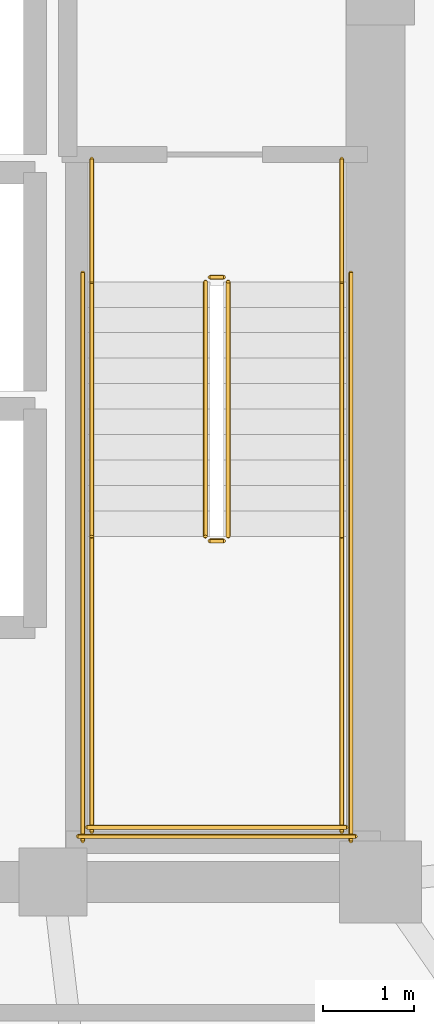
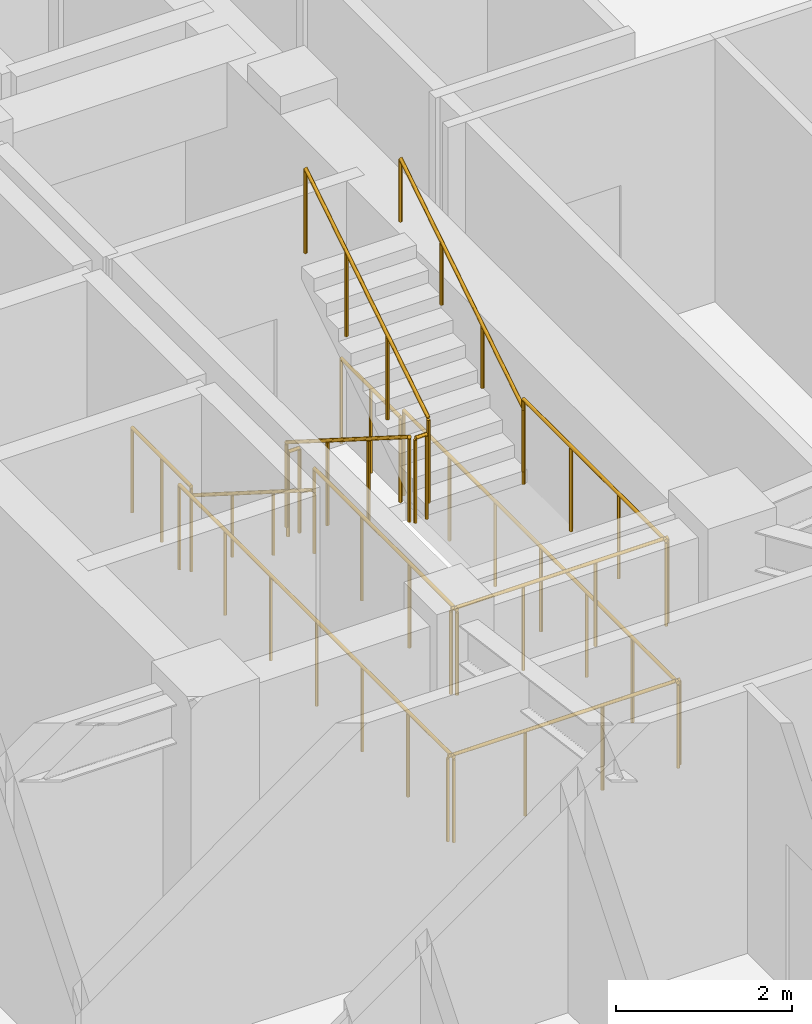
# One storey, part 17 of 17: 14 railings.
"""IFC4 building model written with IfcOpenShell, lengths in metres."""

from ifc_helpers import new_model, si_unit, direction, frame, origin, origin_2d, place, context, subcontext, project, spatial, circle, extrude, material, type_object, element, save


model = new_model("IFC4")

# Units and contexts
model_context = context("Model", 3, precision=1e-05, world=origin(), true_north=direction((0.0, 1.0)))
body_context = subcontext(model_context, "Body", "Model", "MODEL_VIEW")
ifc_project = project(units=[si_unit("LENGTHUNIT", "METRE"), si_unit("AREAUNIT", "SQUARE_METRE"), si_unit("VOLUMEUNIT", "CUBIC_METRE"), si_unit("PLANEANGLEUNIT", "RADIAN"), si_unit("MASSUNIT", "GRAM", prefix="KILO")], contexts=[model_context])

# Site, building, storey
site_placement = place(None, origin())
site = spatial("IfcSite", under=ifc_project, at=site_placement, CompositionType="ELEMENT")
building_placement = place(site_placement, origin())
building = spatial("IfcBuilding", under=site, at=building_placement, Name="Voryun Gate Residences", CompositionType="ELEMENT")
storey_placement = place(building_placement, frame((0.0, 0.0, 204.10009765625)))
storey = spatial("IfcBuildingStorey", under=building, at=storey_placement, Name="L50", CompositionType="ELEMENT", Elevation=204.10009765625)

# Railings
ifc_material_1 = material(Name="Painted steel", Category="steel")
railing_type_1 = type_object("IfcRailingType", Name="RAIL_STAIR_GUARD_1200", PredefinedType="GUARDRAIL", material=ifc_material_1)
railing_1_placement = place(storey_placement, frame((17.27490234375, -0.800048828125, 0.17724609375)))
element("IfcRailing", 1, at=railing_1_placement, inside=storey, type_object=railing_type_1, Name="L50 ST-E1 stair guard 1", PredefinedType="GUARDRAIL", context=body_context, shape_type="SweptSolid", body=[
    extrude(circle(Radius=0.02392578125, at=origin_2d()), frame((0.0, 0.0, 1.17578125), z_axis=(0.0, -0.844908973607, 0.534910110503), x_axis=(1.0, 0.0, 0.0)), (0.0, 0.0, 1.0), 3.31396484375),
    extrude(circle(Radius=0.02099609375, at=origin_2d()), origin(), (0.0, 0.0, 1.0), 1.15185546875),
    extrude(circle(Radius=0.02099609375, at=origin_2d()), frame((0.0, -0.933349609375, 0.5908203125)), (0.0, 0.0, 1.0), 1.15185546875),
    extrude(circle(Radius=0.02099609375, at=origin_2d()), frame((0.0, -1.86669921875, 1.181884765625)), (0.0, 0.0, 1.0), 1.15185546875),
    extrude(circle(Radius=0.02099609375, at=origin_2d()), frame((0.0, -2.800048828125, 1.772705078125)), (0.0, 0.0, 1.0), 1.15185546875),
])
railing_2_placement = place(storey_placement, frame((17.324951171875, -3.64990234375, 1.949951171875)))
element("IfcRailing", 2, at=railing_2_placement, inside=storey, type_object=railing_type_1, Name="L50 ST-E1 stair guard 2", PredefinedType="GUARDRAIL", context=body_context, shape_type="SweptSolid", body=[
    extrude(circle(Radius=0.02392578125, at=origin_2d()), frame((0.0, 0.0, 1.17578125), z_axis=(1.0, 0.0, 0.0), x_axis=(0.0, 1.0, 0.0)), (0.0, 0.0, 1.0), 0.150146484375),
    extrude(circle(Radius=0.02099609375, at=origin_2d()), origin(), (0.0, 0.0, 1.0), 1.15185546875),
    extrude(circle(Radius=0.02099609375, at=origin_2d()), frame((0.150146484375, 0.0, 0.0)), (0.0, 0.0, 1.0), 1.15185546875),
])
for number, where, name in (
    (3, (16.02490234375, -3.60009765625, 1.949951171875), "L50 ST-E1 stair guard 3"),
    (4, (18.77490234375, -3.60009765625, 1.949951171875), "L50 ST-E1 stair guard 4"),
):
    element("IfcRailing", number, at=place(storey_placement, frame(where)), inside=storey, type_object=railing_type_1, Name=name, PredefinedType="GUARDRAIL", context=body_context, shape_type="SweptSolid", body=[
        extrude(circle(Radius=0.02392578125, at=origin_2d()), frame((0.0, 0.0, 1.17578125), z_axis=(0.0, -1.0, 0.0), x_axis=(1.0, 0.0, 0.0)), (0.0, 0.0, 1.0), 3.25),
        extrude(circle(Radius=0.02099609375, at=origin_2d()), origin(), (0.0, 0.0, 1.0), 1.15185546875),
        extrude(circle(Radius=0.02099609375, at=origin_2d()), frame((0.0, -1.083251953125, 0.0)), (0.0, 0.0, 1.0), 1.15185546875),
        extrude(circle(Radius=0.02099609375, at=origin_2d()), frame((0.0, -2.166748046875, 0.0)), (0.0, 0.0, 1.0), 1.15185546875),
        extrude(circle(Radius=0.02099609375, at=origin_2d()), frame((0.0, -3.25, 0.0)), (0.0, 0.0, 1.0), 1.15185546875),
    ])
railing_3_placement = place(storey_placement, frame((15.97509765625, -6.800048828125, 1.949951171875)))
element("IfcRailing", 5, at=railing_3_placement, inside=storey, type_object=railing_type_1, Name="L50 ST-E1 stair guard 5", PredefinedType="GUARDRAIL", context=body_context, shape_type="SweptSolid", body=[
    extrude(circle(Radius=0.02392578125, at=origin_2d()), frame((0.0, 0.0, 1.17578125), z_axis=(1.0, 0.0, 0.0), x_axis=(0.0, 1.0, 0.0)), (0.0, 0.0, 1.0), 2.849853515625),
    extrude(circle(Radius=0.02099609375, at=origin_2d()), origin(), (0.0, 0.0, 1.0), 1.15185546875),
    extrude(circle(Radius=0.02099609375, at=origin_2d()), frame((0.949951171875, 0.0, 0.0)), (0.0, 0.0, 1.0), 1.15185546875),
    extrude(circle(Radius=0.02099609375, at=origin_2d()), frame((1.89990234375, 0.0, 0.0)), (0.0, 0.0, 1.0), 1.15185546875),
    extrude(circle(Radius=0.02099609375, at=origin_2d()), frame((2.849853515625, 0.0, 0.0)), (0.0, 0.0, 1.0), 1.15185546875),
])
railing_4_placement = place(storey_placement, frame((17.52490234375, -3.60009765625, 2.127197265625)))
element("IfcRailing", 6, at=railing_4_placement, inside=storey, type_object=railing_type_1, Name="L50 ST-E1 stair guard 6", PredefinedType="GUARDRAIL", context=body_context, shape_type="SweptSolid", body=[
    extrude(circle(Radius=0.02392578125, at=origin_2d()), frame((0.0, 0.0, 1.17578125), z_axis=(0.0, 0.844908973607, 0.534910110503), x_axis=(-1.0, 0.0, 0.0)), (0.0, 0.0, 1.0), 3.31396484375),
    extrude(circle(Radius=0.02099609375, at=origin_2d()), origin(), (0.0, 0.0, 1.0), 1.15185546875),
    extrude(circle(Radius=0.02099609375, at=origin_2d()), frame((0.0, 0.933349609375, 0.5908203125)), (0.0, 0.0, 1.0), 1.15185546875),
    extrude(circle(Radius=0.02099609375, at=origin_2d()), frame((0.0, 1.86669921875, 1.181884765625)), (0.0, 0.0, 1.0), 1.15185546875),
    extrude(circle(Radius=0.02099609375, at=origin_2d()), frame((0.0, 2.800048828125, 1.772705078125)), (0.0, 0.0, 1.0), 1.15185546875),
])
railing_5_placement = place(storey_placement, frame((17.324951171875, -0.75, 0.0)))
element("IfcRailing", 7, at=railing_5_placement, inside=storey, type_object=railing_type_1, Name="L50 ST-E1 stair guard 7", PredefinedType="GUARDRAIL", context=body_context, shape_type="SweptSolid", body=[
    extrude(circle(Radius=0.02392578125, at=origin_2d()), frame((0.0, 0.0, 1.17578125), z_axis=(1.0, 0.0, 0.0), x_axis=(0.0, 1.0, 0.0)), (0.0, 0.0, 1.0), 0.150146484375),
    extrude(circle(Radius=0.02099609375, at=origin_2d()), origin(), (0.0, 0.0, 1.0), 1.15185546875),
    extrude(circle(Radius=0.02099609375, at=origin_2d()), frame((0.150146484375, 0.0, 0.0)), (0.0, 0.0, 1.0), 1.15185546875),
])
for number, where, name in (
    (8, (16.02490234375, 0.550048828125, 0.0), "L50 ST-E1 stair guard 8"),
    (9, (18.77490234375, 0.550048828125, 0.0), "L50 ST-E1 stair guard 9"),
):
    element("IfcRailing", number, at=place(storey_placement, frame(where)), inside=storey, type_object=railing_type_1, Name=name, PredefinedType="GUARDRAIL", context=body_context, shape_type="SweptSolid", body=[
        extrude(circle(Radius=0.02392578125, at=origin_2d()), frame((0.0, 0.0, 1.17578125), z_axis=(0.0, -1.0, 0.0), x_axis=(1.0, 0.0, 0.0)), (0.0, 0.0, 1.0), 1.35009765625),
        extrude(circle(Radius=0.02099609375, at=origin_2d()), origin(), (0.0, 0.0, 1.0), 1.15185546875),
        extrude(circle(Radius=0.02099609375, at=origin_2d()), frame((0.0, -0.675048828125, 0.0)), (0.0, 0.0, 1.0), 1.15185546875),
        extrude(circle(Radius=0.02099609375, at=origin_2d()), frame((0.0, -1.35009765625, 0.0)), (0.0, 0.0, 1.0), 1.15185546875),
    ])
for number, where, name in (
    (10, (15.925048828125, -0.699951171875, 0.0), "L50 ST-E1 stair guard 10"),
    (11, (18.875, -0.699951171875, 0.0), "L50 ST-E1 stair guard 11"),
):
    element("IfcRailing", number, at=place(storey_placement, frame(where)), inside=storey, type_object=railing_type_1, Name=name, PredefinedType="GUARDRAIL", context=body_context, shape_type="SweptSolid", body=[
        extrude(circle(Radius=0.02392578125, at=origin_2d()), frame((0.0, 0.0, 1.17578125), z_axis=(0.0, -1.0, 0.0), x_axis=(1.0, 0.0, 0.0)), (0.0, 0.0, 1.0), 6.25),
        extrude(circle(Radius=0.02099609375, at=origin_2d()), origin(), (0.0, 0.0, 1.0), 1.15185546875),
        extrude(circle(Radius=0.02099609375, at=origin_2d()), frame((0.0, -1.041748046875, 0.0)), (0.0, 0.0, 1.0), 1.15185546875),
        extrude(circle(Radius=0.02099609375, at=origin_2d()), frame((0.0, -2.083251953125, 0.0)), (0.0, 0.0, 1.0), 1.15185546875),
        extrude(circle(Radius=0.02099609375, at=origin_2d()), frame((0.0, -3.125, 0.0)), (0.0, 0.0, 1.0), 1.15185546875),
        extrude(circle(Radius=0.02099609375, at=origin_2d()), frame((0.0, -4.166748046875, 0.0)), (0.0, 0.0, 1.0), 1.15185546875),
        extrude(circle(Radius=0.02099609375, at=origin_2d()), frame((0.0, -5.208251953125, 0.0)), (0.0, 0.0, 1.0), 1.15185546875),
        extrude(circle(Radius=0.02099609375, at=origin_2d()), frame((0.0, -6.25, 0.0)), (0.0, 0.0, 1.0), 1.15185546875),
    ])
railing_6_placement = place(storey_placement, frame((15.875, -6.89990234375, 0.0)))
element("IfcRailing", 12, at=railing_6_placement, inside=storey, type_object=railing_type_1, Name="L50 ST-E1 stair guard 12", PredefinedType="GUARDRAIL", context=body_context, shape_type="SweptSolid", body=[
    extrude(circle(Radius=0.02392578125, at=origin_2d()), frame((0.0, 0.0, 1.17578125), z_axis=(1.0, 0.0, 0.0), x_axis=(0.0, 1.0, 0.0)), (0.0, 0.0, 1.0), 3.050048828125),
    extrude(circle(Radius=0.02099609375, at=origin_2d()), origin(), (0.0, 0.0, 1.0), 1.15185546875),
    extrude(circle(Radius=0.02099609375, at=origin_2d()), frame((1.0166015625, 0.0, 0.0)), (0.0, 0.0, 1.0), 1.15185546875),
    extrude(circle(Radius=0.02099609375, at=origin_2d()), frame((2.033447265625, 0.0, 0.0)), (0.0, 0.0, 1.0), 1.15185546875),
    extrude(circle(Radius=0.02099609375, at=origin_2d()), frame((3.050048828125, 0.0, 0.0)), (0.0, 0.0, 1.0), 1.15185546875),
])
ifc_material_2 = material(Name="Painted steel", Category="steel")
railing_type_2 = type_object("IfcRailingType", Name="RAIL_STAIR_HANDRAIL_900", PredefinedType="HANDRAIL", material=ifc_material_2)
railing_7_placement = place(storey_placement, frame((16.02490234375, -0.800048828125, 0.17724609375)))
element("IfcRailing", 13, at=railing_7_placement, inside=storey, type_object=railing_type_2, Name="L50 ST-E1 stair handrail 1", PredefinedType="HANDRAIL", context=body_context, shape_type="SweptSolid", body=[
    extrude(circle(Radius=0.02392578125, at=origin_2d()), frame((0.0, 0.0, 0.8759765625), z_axis=(0.0, -0.844908973607, 0.534910110503), x_axis=(1.0, 0.0, 0.0)), (0.0, 0.0, 1.0), 3.31396484375),
    extrude(circle(Radius=0.02099609375, at=origin_2d()), origin(), (0.0, 0.0, 1.0), 0.851806640625),
    extrude(circle(Radius=0.02099609375, at=origin_2d()), frame((0.0, -0.933349609375, 0.5908203125)), (0.0, 0.0, 1.0), 0.851806640625),
    extrude(circle(Radius=0.02099609375, at=origin_2d()), frame((0.0, -1.86669921875, 1.181884765625)), (0.0, 0.0, 1.0), 0.851806640625),
    extrude(circle(Radius=0.02099609375, at=origin_2d()), frame((0.0, -2.800048828125, 1.772705078125)), (0.0, 0.0, 1.0), 0.851806640625),
])
railing_8_placement = place(storey_placement, frame((18.77490234375, -3.60009765625, 2.127197265625)))
element("IfcRailing", 14, at=railing_8_placement, inside=storey, type_object=railing_type_2, Name="L50 ST-E1 stair handrail 2", PredefinedType="HANDRAIL", context=body_context, shape_type="SweptSolid", body=[
    extrude(circle(Radius=0.02392578125, at=origin_2d()), frame((0.0, 0.0, 0.8759765625), z_axis=(0.0, 0.844908973607, 0.534910110503), x_axis=(-1.0, 0.0, 0.0)), (0.0, 0.0, 1.0), 3.31396484375),
    extrude(circle(Radius=0.02099609375, at=origin_2d()), origin(), (0.0, 0.0, 1.0), 0.851806640625),
    extrude(circle(Radius=0.02099609375, at=origin_2d()), frame((0.0, 0.933349609375, 0.5908203125)), (0.0, 0.0, 1.0), 0.851806640625),
    extrude(circle(Radius=0.02099609375, at=origin_2d()), frame((0.0, 1.86669921875, 1.181884765625)), (0.0, 0.0, 1.0), 0.851806640625),
    extrude(circle(Radius=0.02099609375, at=origin_2d()), frame((0.0, 2.800048828125, 1.772705078125)), (0.0, 0.0, 1.0), 0.851806640625),
])

save(model, "model.ifc")
